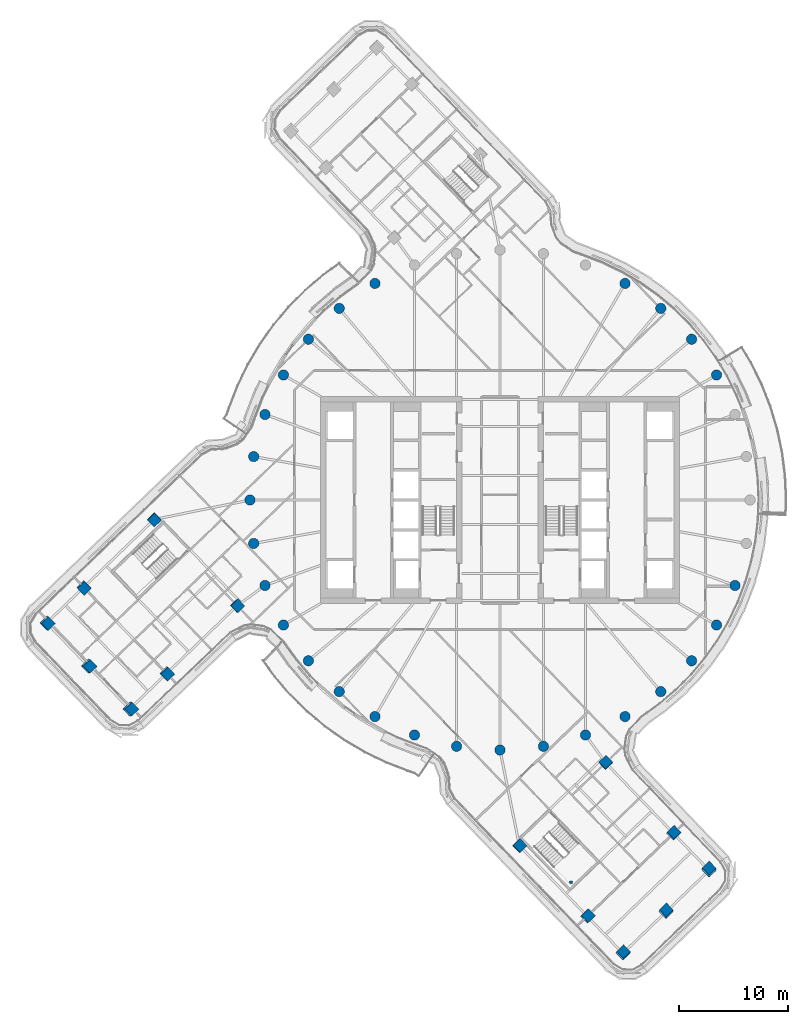
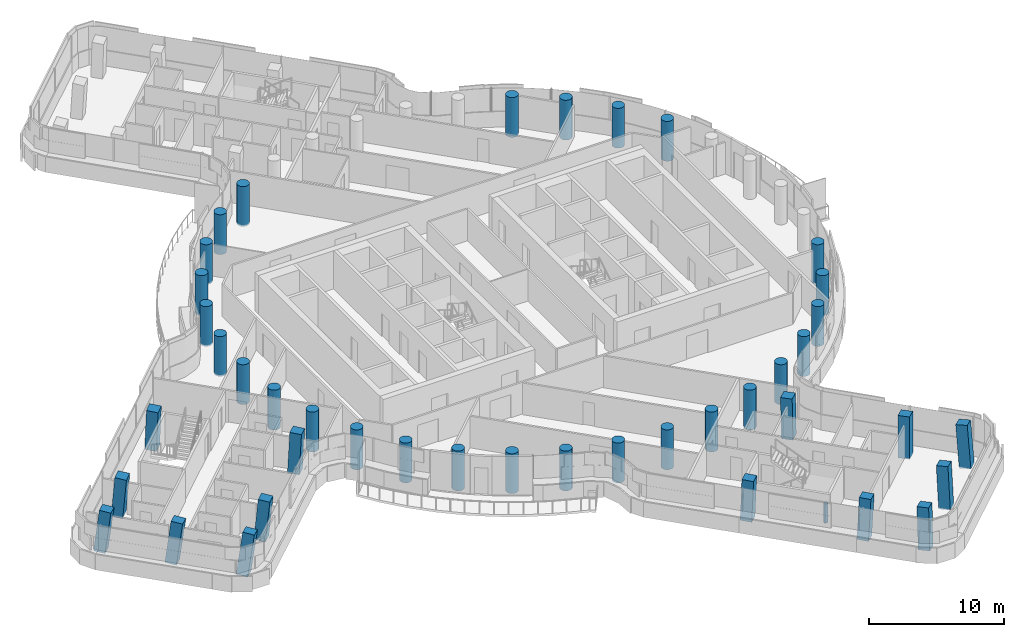
# One storey, part 1 of 34: 42 columns.
"""IFC4 building model written with IfcOpenShell, lengths in metres."""

from ifc_helpers import new_model, si_unit, direction, frame, origin, origin_2d, place, context, subcontext, project, spatial, rectangle, circle, extrude, material, material_profile, profile_set, type_object, element, save


model = new_model("IFC4")

# Units and contexts
model_context = context("Model", 3, precision=1e-05, world=origin(), true_north=direction((0.0, 1.0)))
body_context = subcontext(model_context, "Body", "Model", "MODEL_VIEW")
ifc_project = project(units=[si_unit("LENGTHUNIT", "METRE"), si_unit("AREAUNIT", "SQUARE_METRE"), si_unit("VOLUMEUNIT", "CUBIC_METRE"), si_unit("PLANEANGLEUNIT", "RADIAN"), si_unit("MASSUNIT", "GRAM", prefix="KILO")], contexts=[model_context])

# Site, building, storey
site_placement = place(None, origin())
site = spatial("IfcSite", under=ifc_project, at=site_placement, CompositionType="ELEMENT")
building_placement = place(site_placement, origin())
building = spatial("IfcBuilding", under=site, at=building_placement, Name="Tamarind Cross Interchange Tower", CompositionType="ELEMENT")
storey_placement = place(building_placement, frame((0.0, 0.0, 193.300048828125)))
storey = spatial("IfcBuildingStorey", under=building, at=storey_placement, Name="L48", CompositionType="ELEMENT", Elevation=193.300048828125)

# Columns
ifc_material_1 = material(Name="Concrete C40", Category="concrete")
ifc_material_profile_1 = material_profile(ifc_material_1, rectangle(XDim=0.25, YDim=0.25, at=origin_2d()), Name="RC 250x250")
ifc_profile_set_1 = profile_set([ifc_material_profile_1], Name="Concrete C40")
column_type_1 = type_object("IfcColumnType", Name="Column RC 250x250 Concrete C40", PredefinedType="COLUMN", material=ifc_profile_set_1)
column_1_placement = place(storey_placement, frame((6.532958984375, -35.140869140625, -0.14013671875), z_axis=(0.0, 0.0, 1.0), x_axis=(1.0, 0.0, 0.0)))
element("IfcColumn", 1, at=column_1_placement, inside=storey, type_object=column_type_1, Name="Column ST6 landing L48", PredefinedType="COLUMN", context=body_context, shape_type="SweptSolid", body=[
    extrude(rectangle(XDim=0.25, YDim=0.25, at=origin_2d()), origin(), (0.0, 0.0, 1.0), 1.739990234375),
])
ifc_material_2 = material(Name="Concrete C55", Category="concrete")
ifc_material_profile_2 = material_profile(ifc_material_2, rectangle(XDim=0.89990234375, YDim=0.89990234375, at=origin_2d()), Name="RC 900x900")
ifc_profile_set_2 = profile_set([ifc_material_profile_2], Name="Concrete C55")
column_type_2 = type_object("IfcColumnType", Name="Column RC 900x900 Concrete C55", PredefinedType="COLUMN", material=ifc_profile_set_2)
for number, where, z_axis, x_axis, name in (
    (2, (-30.65673828125, -15.9560546875, -0.138671875), (0.080831909423, -0.042984192636, 0.995800462745), (-0.689102615034, 0.719423529277, 0.086990640166), "Column L48-050"),
    (3, (-38.28173828125, -8.02783203125, -0.138671875), (0.041227083707, -0.081710728199, 0.995803034975), (0.721261800448, 0.692138747781, 0.026932675974), "Column L48-051"),
):
    element("IfcColumn", number, at=place(storey_placement, frame(where, z_axis=z_axis, x_axis=x_axis)), inside=storey, type_object=column_type_2, Name=name, PredefinedType="COLUMN", context=body_context, shape_type="SweptSolid", body=[
        extrude(rectangle(XDim=0.89990234375, YDim=0.89990234375, at=origin_2d()), origin(), (0.0, 0.0, 1.0), 3.6123046875),
    ])
for number, where, z_axis, x_axis, name in (
    (4, (-24.169921875, -9.717529296875, -0.138671875), (0.04927561345, -0.010573584179, 0.998729249215), (-0.691569981719, 0.721101561283, 0.041755223636), "Column L48-052"),
    (5, (-31.794921875, -1.7890625, -0.138671875), (0.009489121963, -0.049478993091, 0.998730086563), (0.721111099247, 0.69227562516, 0.027445242787), "Column L48-053"),
):
    element("IfcColumn", number, at=place(storey_placement, frame(where, z_axis=z_axis, x_axis=x_axis)), inside=storey, type_object=column_type_2, Name=name, PredefinedType="COLUMN", context=body_context, shape_type="SweptSolid", body=[
        extrude(rectangle(XDim=0.89990234375, YDim=0.89990234375, at=origin_2d()), origin(), (0.0, 0.0, 1.0), 3.60205078125),
    ])
column_2_placement = place(storey_placement, frame((-41.68701171875, -11.302734375, -0.13818359375), z_axis=(0.115017313992, -0.041303815745, 0.99250441424), x_axis=(-0.68705250687, 0.718307618159, 0.109512640812)))
element("IfcColumn", 6, at=column_2_placement, inside=storey, type_object=column_type_2, Name="Column L48-054", PredefinedType="COLUMN", context=body_context, shape_type="SweptSolid", body=[
    extrude(rectangle(XDim=0.89990234375, YDim=0.89990234375, at=origin_2d()), origin(), (0.0, 0.0, 1.0), 3.623291015625),
])
column_3_placement = place(storey_placement, frame((-37.87451171875, -15.266845703125, -0.137939453125), z_axis=(0.134528392549, -0.021928127985, 0.990667082728), x_axis=(-0.685904535349, 0.719471397446, 0.109068220143)))
element("IfcColumn", 7, at=column_3_placement, inside=storey, type_object=column_type_2, Name="Column L48-055", PredefinedType="COLUMN", context=body_context, shape_type="SweptSolid", body=[
    extrude(rectangle(XDim=0.89990234375, YDim=0.89990234375, at=origin_2d()), origin(), (0.0, 0.0, 1.0), 3.629638671875),
])
column_4_placement = place(storey_placement, frame((-34.06201171875, -19.231201171875, -0.137939453125), z_axis=(0.153836031912, -0.002616487241, 0.988092925428), x_axis=(-0.684811823002, 0.720593359709, 0.108526388591)))
element("IfcColumn", 8, at=column_4_placement, inside=storey, type_object=column_type_2, Name="Column L48-056", PredefinedType="COLUMN", context=body_context, shape_type="SweptSolid", body=[
    extrude(rectangle(XDim=0.89990234375, YDim=0.89990234375, at=origin_2d()), origin(), (0.0, 0.0, 1.0), 3.638916015625),
])
for number, where, z_axis, x_axis, name in (
    (9, (15.9560546875, -30.65673828125, -0.138671875), (0.042984192636, 0.080831909423, 0.995800462745), (-0.719423529277, -0.689102615034, 0.086990640166), "Column L48-057"),
    (10, (8.02783203125, -38.28173828125, -0.138671875), (0.081710728199, 0.041227083707, 0.995803034975), (-0.692138747781, 0.721261800448, 0.026932675974), "Column L48-058"),
):
    element("IfcColumn", number, at=place(storey_placement, frame(where, z_axis=z_axis, x_axis=x_axis)), inside=storey, type_object=column_type_2, Name=name, PredefinedType="COLUMN", context=body_context, shape_type="SweptSolid", body=[
        extrude(rectangle(XDim=0.89990234375, YDim=0.89990234375, at=origin_2d()), origin(), (0.0, 0.0, 1.0), 3.6123046875),
    ])
for number, where, z_axis, x_axis, name in (
    (11, (9.717529296875, -24.169921875, -0.138671875), (0.010573584179, 0.04927561345, 0.998729249215), (-0.721101561283, -0.691569981719, 0.041755223636), "Column L48-059"),
    (12, (1.7890625, -31.794921875, -0.138671875), (0.049478993091, 0.009489121963, 0.998730086563), (-0.69227562516, 0.721111099247, 0.027445242787), "Column L48-060"),
):
    element("IfcColumn", number, at=place(storey_placement, frame(where, z_axis=z_axis, x_axis=x_axis)), inside=storey, type_object=column_type_2, Name=name, PredefinedType="COLUMN", context=body_context, shape_type="SweptSolid", body=[
        extrude(rectangle(XDim=0.89990234375, YDim=0.89990234375, at=origin_2d()), origin(), (0.0, 0.0, 1.0), 3.60205078125),
    ])
column_5_placement = place(storey_placement, frame((11.302734375, -41.68701171875, -0.13818359375), z_axis=(0.041303815745, 0.115017313992, 0.99250441424), x_axis=(-0.718307618159, -0.68705250687, 0.109512640812)))
element("IfcColumn", 13, at=column_5_placement, inside=storey, type_object=column_type_2, Name="Column L48-061", PredefinedType="COLUMN", context=body_context, shape_type="SweptSolid", body=[
    extrude(rectangle(XDim=0.89990234375, YDim=0.89990234375, at=origin_2d()), origin(), (0.0, 0.0, 1.0), 3.623291015625),
])
column_6_placement = place(storey_placement, frame((15.266845703125, -37.87451171875, -0.137939453125), z_axis=(0.021928127985, 0.134528392549, 0.990667082728), x_axis=(-0.719471397446, -0.685904535349, 0.109068220143)))
element("IfcColumn", 14, at=column_6_placement, inside=storey, type_object=column_type_2, Name="Column L48-062", PredefinedType="COLUMN", context=body_context, shape_type="SweptSolid", body=[
    extrude(rectangle(XDim=0.89990234375, YDim=0.89990234375, at=origin_2d()), origin(), (0.0, 0.0, 1.0), 3.629638671875),
])
column_7_placement = place(storey_placement, frame((19.231201171875, -34.06201171875, -0.137939453125), z_axis=(0.002616487241, 0.153836031912, 0.988092925428), x_axis=(-0.720593359709, -0.684811823002, 0.108526388591)))
element("IfcColumn", 15, at=column_7_placement, inside=storey, type_object=column_type_2, Name="Column L48-063", PredefinedType="COLUMN", context=body_context, shape_type="SweptSolid", body=[
    extrude(rectangle(XDim=0.89990234375, YDim=0.89990234375, at=origin_2d()), origin(), (0.0, 0.0, 1.0), 3.638916015625),
])
ifc_material_profile_3 = material_profile(ifc_material_2, circle(Radius=0.47509765625, at=origin_2d()), Name="RC D950")
ifc_profile_set_3 = profile_set([ifc_material_profile_3], Name="Concrete C55")
column_type_3 = type_object("IfcColumnType", Name="Column RC D950 Concrete C55", PredefinedType="COLUMN", material=ifc_profile_set_3)
for number, where, z_axis, x_axis, name in (
    (16, (19.918701171875, 11.5, -0.14013671875), (0.0, 0.0, 1.0), (1.0, 0.0, 0.0), "Column L48-003"),
    (17, (17.619140625, 14.7841796875, -0.14013671875), (0.0, 0.0, 1.0), (1.0, 0.0, 0.0), "Column L48-004"),
    (18, (14.7841796875, 17.619140625, -0.14013671875), (0.0, 0.0, 1.0), (1.0, 0.0, 0.0), "Column L48-005"),
    (19, (11.5, 19.918701171875, -0.14013671875), (0.0, 0.0, 1.0), (1.0, 0.0, 0.0), "Column L48-006"),
    (20, (-11.5, 19.918701171875, -0.14013671875), (0.0, 0.0, 1.0), (1.0, 0.0, 0.0), "Column L48-012"),
    (21, (-14.7841796875, 17.619140625, -0.14013671875), (0.0, 0.0, 1.0), (1.0, 0.0, 0.0), "Column L48-013"),
    (22, (-17.619140625, 14.7841796875, -0.14013671875), (0.0, 0.0, 1.0), (1.0, 0.0, 0.0), "Column L48-014"),
    (23, (-19.918701171875, 11.5, -0.14013671875), (0.0, 0.0, 1.0), (1.0, 0.0, 0.0), "Column L48-015"),
    (24, (-21.613037109375, 7.866455078125, -0.14013671875), (0.0, 0.0, 1.0), (1.0, 0.0, 0.0), "Column L48-016"),
    (25, (-22.650634765625, 3.993896484375, -0.14013671875), (0.0, 0.0, 1.0), (1.0, 0.0, 0.0), "Column L48-017"),
    (26, (-23.0, 0.0, -0.14013671875), (0.0, 0.0, 1.0), (1.0, 0.0, 0.0), "Column L48-018"),
    (27, (-22.650634765625, -3.993896484375, -0.14013671875), (0.0, 0.0, 1.0), (1.0, 0.0, 0.0), "Column L48-019"),
    (28, (-21.613037109375, -7.866455078125, -0.14013671875), (0.0, 0.0, 1.0), (1.0, 0.0, 0.0), "Column L48-020"),
    (29, (-19.918701171875, -11.5, -0.14013671875), (0.0, 0.0, 1.0), (1.0, 0.0, 0.0), "Column L48-021"),
    (30, (-17.619140625, -14.7841796875, -0.14013671875), (0.0, 0.0, 1.0), (1.0, 0.0, 0.0), "Column L48-022"),
    (31, (-14.7841796875, -17.619140625, -0.14013671875), (0.0, 0.0, 1.0), (1.0, 0.0, 0.0), "Column L48-023"),
    (32, (-11.5, -19.918701171875, -0.14013671875), (0.0, 0.0, 1.0), (1.0, 0.0, 0.0), "Column L48-024"),
    (33, (-7.866455078125, -21.613037109375, -0.14013671875), (0.0, 0.0, 1.0), (1.0, 0.0, 0.0), "Column L48-025"),
    (34, (-3.993896484375, -22.650634765625, -0.14013671875), (0.0, 0.0, 1.0), (1.0, 0.0, 0.0), "Column L48-026"),
    (35, (0.0, -23.0, -0.14013671875), (0.0, 0.0, 1.0), (1.0, 0.0, 0.0), "Column L48-027"),
    (36, (3.993896484375, -22.650634765625, -0.14013671875), (0.0, 0.0, 1.0), (1.0, 0.0, 0.0), "Column L48-028"),
    (37, (7.866455078125, -21.613037109375, -0.14013671875), (0.0, 0.0, 1.0), (1.0, 0.0, 0.0), "Column L48-029"),
    (38, (11.5, -19.918701171875, -0.14013671875), (0.0, 0.0, 1.0), (1.0, 0.0, 0.0), "Column L48-030"),
    (39, (14.7841796875, -17.619140625, -0.14013671875), (0.0, 0.0, 1.0), (1.0, 0.0, 0.0), "Column L48-031"),
    (40, (17.619140625, -14.7841796875, -0.14013671875), (0.0, 0.0, 1.0), (1.0, 0.0, 0.0), "Column L48-032"),
    (41, (19.918701171875, -11.5, -0.14013671875), (0.0, 0.0, 1.0), (1.0, 0.0, 0.0), "Column L48-033"),
    (42, (21.613037109375, -7.866455078125, -0.14013671875), (0.0, 0.0, 1.0), (1.0, 0.0, 0.0), "Column L48-034"),
):
    element("IfcColumn", number, at=place(storey_placement, frame(where, z_axis=z_axis, x_axis=x_axis)), inside=storey, type_object=column_type_3, Name=name, PredefinedType="COLUMN", context=body_context, shape_type="SweptSolid", body=[
        extrude(circle(Radius=0.47509765625, at=origin_2d()), origin(), (0.0, 0.0, 1.0), 3.60009765625),
    ])

save(model, "model.ifc")
